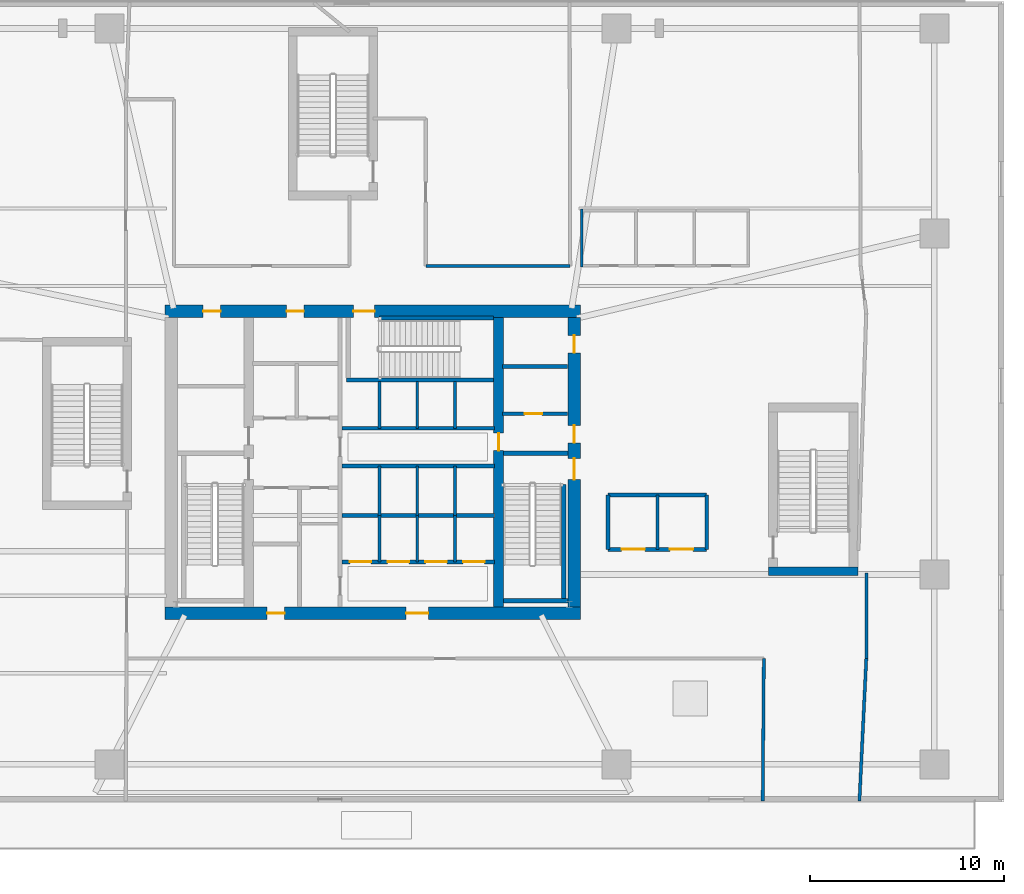
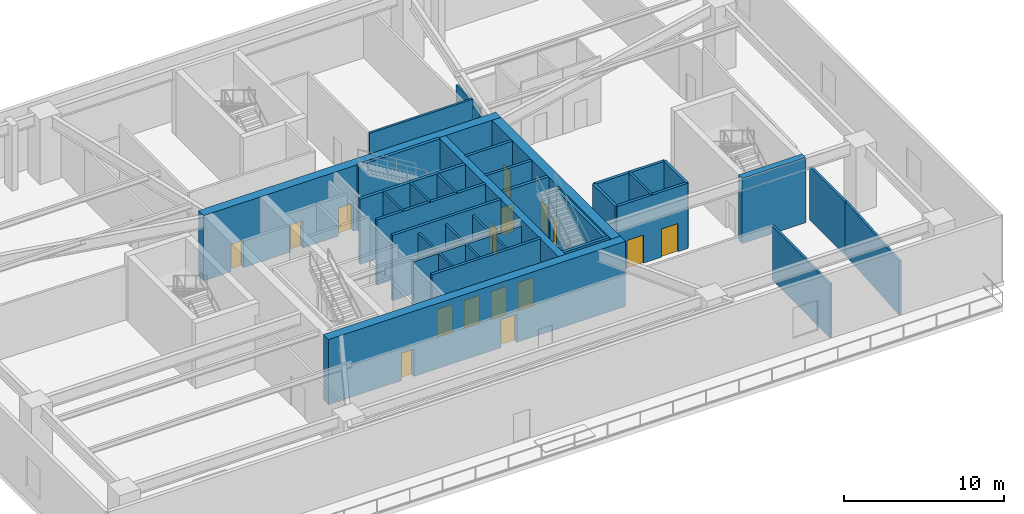
# One storey, part 5 of 11: 35 walls, 16 doors, 16 openings.
"""IFC4 building model written with IfcOpenShell, lengths in metres."""

from ifc_helpers import new_model, si_unit, direction, frame, frame_2d, origin, place, context, subcontext, project, spatial, rectangle, extrude, material, layer, layer_set, type_object, element, fill, save


model = new_model("IFC4")

# Units and contexts
model_context = context("Model", 3, precision=1e-05, world=origin(), true_north=direction((0.0, 1.0)))
body_context = subcontext(model_context, "Body", "Model", "MODEL_VIEW")
ifc_project = project(units=[si_unit("LENGTHUNIT", "METRE"), si_unit("AREAUNIT", "SQUARE_METRE"), si_unit("VOLUMEUNIT", "CUBIC_METRE"), si_unit("PLANEANGLEUNIT", "RADIAN"), si_unit("MASSUNIT", "GRAM", prefix="KILO")], contexts=[model_context])

# Site, building, storey
site_placement = place(None, origin())
site = spatial("IfcSite", under=ifc_project, at=site_placement, CompositionType="ELEMENT")
building_placement = place(site_placement, origin())
building = spatial("IfcBuilding", under=site, at=building_placement, Name="Qarnah Convention Tower", CompositionType="ELEMENT")
storey_placement = place(building_placement, frame((0.0, 0.0, 16.199951171875)))
storey = spatial("IfcBuildingStorey", under=building, at=storey_placement, Name="L03", CompositionType="ELEMENT", Elevation=16.199951171875)

# Wall, openings, doors
ifc_material_1 = material(Name="Concrete C60/75", Category="concrete")
ifc_layer_1 = layer(ifc_material_1, 0.64990234375)
ifc_layer_set_1 = layer_set([ifc_layer_1], Name="Concrete C60/75")
wall_type_1 = type_object("IfcWallType", Name="WL-CORE-650", PredefinedType="SHEAR", material=ifc_layer_set_1)
wall_1_placement = place(storey_placement, frame((26.47509765625, 18.60009765625, 0.0), z_axis=(0.0, 0.0, 1.0), x_axis=(1.0, 0.0, 0.0)))
wall_1 = element("IfcWall", 1, at=wall_1_placement, inside=storey, type_object=wall_type_1, Name="L03 core south shear wall", PredefinedType="SHEAR", context=body_context, shape_type="SweptSolid", body=[
    extrude(rectangle(XDim=21.449951171875, YDim=0.64990234375, at=frame_2d((10.72509765625, 0.0))), origin(), (0.0, 0.0, 1.0), 4.97998046875),
])
opening_1_placement = place(wall_1_placement, frame((12.449951171875, 0.0, 0.0)))
opening_1 = element("IfcOpeningElement", 2, at=opening_1_placement, cuts=wall_1, Name="Opening D-0307", PredefinedType="OPENING", context=body_context, shape_type="SweptSolid", body=[
    extrude(rectangle(XDim=1.14990234375, YDim=2.14990234375, at=frame_2d((0.574951171875, 1.074951171875))), frame((0.0, 0.3349609375, 0.0), z_axis=(0.0, -1.0, 0.0), x_axis=(1.0, 0.0, 0.0)), (0.0, 0.0, 1.0), 0.669921875),
])
opening_2_placement = place(wall_1_placement, frame((5.27490234375, 0.0, 0.0)))
opening_2 = element("IfcOpeningElement", 3, at=opening_2_placement, cuts=wall_1, Name="Opening D-0313", PredefinedType="OPENING", context=body_context, shape_type="SweptSolid", body=[
    extrude(rectangle(XDim=0.89990234375, YDim=2.10009765625, at=frame_2d((0.449951171875, 1.050048828125))), frame((0.0, 0.3349609375, 0.0), z_axis=(0.0, -1.0, 0.0), x_axis=(1.0, 0.0, 0.0)), (0.0, 0.0, 1.0), 0.669921875),
])
ifc_material_2 = material(Name="Structural steel S355JR", Category="steel")
door_type_1 = type_object("IfcDoorType", Name="DT-LOBBY-1150", OperationType="NOTDEFINED", PredefinedType="DOOR", material=ifc_material_2)
door_1_placement = place(opening_1_placement, origin())
door_1 = element("IfcDoor", 4, at=door_1_placement, inside=storey, type_object=door_type_1, Name="Door D-0307", OperationType="SINGLE_SWING_RIGHT", OverallHeight=2.14990234375, OverallWidth=1.14990234375, PredefinedType="DOOR", context=body_context, shape_type="SweptSolid", body=[
    extrude(rectangle(XDim=1.14990234375, YDim=2.14990234375, at=frame_2d((0.574951171875, 1.074951171875))), frame((0.0, 0.02490234375, 0.0), z_axis=(0.0, -1.0, 0.0), x_axis=(1.0, 0.0, 0.0)), (0.0, 0.0, 1.0), 0.050048828125),
])
fill(opening_1, door_1)
door_type_2 = type_object("IfcDoorType", Name="DT-RISER-900", OperationType="NOTDEFINED", PredefinedType="DOOR", material=ifc_material_2)
door_2_placement = place(opening_2_placement, origin())
door_2 = element("IfcDoor", 5, at=door_2_placement, inside=storey, type_object=door_type_2, Name="Door D-0313", OperationType="SINGLE_SWING_RIGHT", OverallHeight=2.10009765625, OverallWidth=0.89990234375, PredefinedType="DOOR", context=body_context, shape_type="SweptSolid", body=[
    extrude(rectangle(XDim=0.89990234375, YDim=2.10009765625, at=frame_2d((0.449951171875, 1.050048828125))), frame((0.0, 0.02490234375, 0.0), z_axis=(0.0, -1.0, 0.0), x_axis=(1.0, 0.0, 0.0)), (0.0, 0.0, 1.0), 0.050048828125),
])
fill(opening_2, door_2)

wall_2_placement = place(storey_placement, frame((26.47509765625, 34.199951171875, 0.0), z_axis=(0.0, 0.0, 1.0), x_axis=(1.0, 0.0, 0.0)))
wall_2 = element("IfcWall", 6, at=wall_2_placement, inside=storey, type_object=wall_type_1, Name="L03 core north shear wall", PredefinedType="SHEAR", context=body_context, shape_type="SweptSolid", body=[
    extrude(rectangle(XDim=21.449951171875, YDim=0.64990234375, at=frame_2d((10.72509765625, 0.0))), origin(), (0.0, 0.0, 1.0), 4.97998046875),
])
opening_3_placement = place(wall_2_placement, frame((9.72509765625, 0.0, 0.0)))
opening_3 = element("IfcOpeningElement", 7, at=opening_3_placement, cuts=wall_2, Name="Opening D-0303", PredefinedType="OPENING", context=body_context, shape_type="SweptSolid", body=[
    extrude(rectangle(XDim=1.10009765625, YDim=2.14990234375, at=frame_2d((0.550048828125, 1.074951171875))), frame((0.0, 0.3349609375, 0.0), z_axis=(0.0, -1.0, 0.0), x_axis=(1.0, 0.0, 0.0)), (0.0, 0.0, 1.0), 0.669921875),
])
opening_4_placement = place(wall_2_placement, frame((1.97509765625, 0.0, 0.0)))
opening_4 = element("IfcOpeningElement", 8, at=opening_4_placement, cuts=wall_2, Name="Opening D-0309", PredefinedType="OPENING", context=body_context, shape_type="SweptSolid", body=[
    extrude(rectangle(XDim=0.89990234375, YDim=2.10009765625, at=frame_2d((0.449951171875, 1.050048828125))), frame((0.0, 0.3349609375, 0.0), z_axis=(0.0, -1.0, 0.0), x_axis=(1.0, 0.0, 0.0)), (0.0, 0.0, 1.0), 0.669921875),
])
opening_5_placement = place(wall_2_placement, frame((6.27490234375, 0.0, 0.0)))
opening_5 = element("IfcOpeningElement", 9, at=opening_5_placement, cuts=wall_2, Name="Opening D-0310", PredefinedType="OPENING", context=body_context, shape_type="SweptSolid", body=[
    extrude(rectangle(XDim=0.89990234375, YDim=2.10009765625, at=frame_2d((0.449951171875, 1.050048828125))), frame((0.0, 0.3349609375, 0.0), z_axis=(0.0, -1.0, 0.0), x_axis=(1.0, 0.0, 0.0)), (0.0, 0.0, 1.0), 0.669921875),
])
door_3_placement = place(opening_4_placement, origin())
door_3 = element("IfcDoor", 10, at=door_3_placement, inside=storey, type_object=door_type_2, Name="Door D-0309", OperationType="SINGLE_SWING_RIGHT", OverallHeight=2.10009765625, OverallWidth=0.89990234375, PredefinedType="DOOR", context=body_context, shape_type="SweptSolid", body=[
    extrude(rectangle(XDim=0.89990234375, YDim=2.10009765625, at=frame_2d((0.449951171875, 1.050048828125))), frame((0.0, 0.02490234375, 0.0), z_axis=(0.0, -1.0, 0.0), x_axis=(1.0, 0.0, 0.0)), (0.0, 0.0, 1.0), 0.050048828125),
])
fill(opening_4, door_3)
door_4_placement = place(opening_5_placement, origin())
door_4 = element("IfcDoor", 11, at=door_4_placement, inside=storey, type_object=door_type_2, Name="Door D-0310", OperationType="SINGLE_SWING_LEFT", OverallHeight=2.10009765625, OverallWidth=0.89990234375, PredefinedType="DOOR", context=body_context, shape_type="SweptSolid", body=[
    extrude(rectangle(XDim=0.89990234375, YDim=2.10009765625, at=frame_2d((0.449951171875, 1.050048828125))), frame((0.0, 0.02490234375, 0.0), z_axis=(0.0, -1.0, 0.0), x_axis=(1.0, 0.0, 0.0)), (0.0, 0.0, 1.0), 0.050048828125),
])
fill(opening_5, door_4)
door_type_3 = type_object("IfcDoorType", Name="DT-STAIR-1100", OperationType="NOTDEFINED", PredefinedType="DOOR", material=ifc_material_2)
door_5_placement = place(opening_3_placement, origin())
door_5 = element("IfcDoor", 12, at=door_5_placement, inside=storey, type_object=door_type_3, Name="Door D-0303", OperationType="SINGLE_SWING_RIGHT", OverallHeight=2.14990234375, OverallWidth=1.10009765625, PredefinedType="DOOR", context=body_context, shape_type="SweptSolid", body=[
    extrude(rectangle(XDim=1.10009765625, YDim=2.14990234375, at=frame_2d((0.550048828125, 1.074951171875))), frame((0.0, 0.02490234375, 0.0), z_axis=(0.0, -1.0, 0.0), x_axis=(1.0, 0.0, 0.0)), (0.0, 0.0, 1.0), 0.050048828125),
])
fill(opening_3, door_5)

wall_3_placement = place(storey_placement, frame((47.60009765625, 18.925048828125, 0.0), z_axis=(0.0, 0.0, 1.0), x_axis=(0.0, 1.0, 0.0)))
wall_3 = element("IfcWall", 13, at=wall_3_placement, inside=storey, type_object=wall_type_1, Name="L03 core east shear wall", PredefinedType="SHEAR", context=body_context, shape_type="SweptSolid", body=[
    extrude(rectangle(XDim=14.949951171875, YDim=0.64990234375, at=frame_2d((7.47509765625, 0.0))), origin(), (0.0, 0.0, 1.0), 4.97998046875),
])
opening_6_placement = place(wall_3_placement, frame((6.574951171875, 0.0, 0.0)))
opening_6 = element("IfcOpeningElement", 14, at=opening_6_placement, cuts=wall_3, Name="Opening D-0302", PredefinedType="OPENING", context=body_context, shape_type="SweptSolid", body=[
    extrude(rectangle(XDim=1.10009765625, YDim=2.14990234375, at=frame_2d((0.550048828125, 1.074951171875))), frame((0.0, 0.3349609375, 0.0), z_axis=(0.0, -1.0, 0.0), x_axis=(1.0, 0.0, 0.0)), (0.0, 0.0, 1.0), 0.669921875),
])
opening_7_placement = place(wall_3_placement, frame((8.47509765625, 0.0, 0.0)))
opening_7 = element("IfcOpeningElement", 15, at=opening_7_placement, cuts=wall_3, Name="Opening D-0306", PredefinedType="OPENING", context=body_context, shape_type="SweptSolid", body=[
    extrude(rectangle(XDim=0.89990234375, YDim=2.10009765625, at=frame_2d((0.449951171875, 1.050048828125))), frame((0.0, 0.3349609375, 0.0), z_axis=(0.0, -1.0, 0.0), x_axis=(1.0, 0.0, 0.0)), (0.0, 0.0, 1.0), 0.669921875),
])
opening_8_placement = place(wall_3_placement, frame((13.125, 0.0, 0.0)))
opening_8 = element("IfcOpeningElement", 16, at=opening_8_placement, cuts=wall_3, Name="Opening D-0312", PredefinedType="OPENING", context=body_context, shape_type="SweptSolid", body=[
    extrude(rectangle(XDim=0.89990234375, YDim=2.10009765625, at=frame_2d((0.449951171875, 1.050048828125))), frame((0.0, 0.3349609375, 0.0), z_axis=(0.0, -1.0, 0.0), x_axis=(1.0, 0.0, 0.0)), (0.0, 0.0, 1.0), 0.669921875),
])
door_6_placement = place(opening_7_placement, origin())
door_6 = element("IfcDoor", 17, at=door_6_placement, inside=storey, type_object=door_type_2, Name="Door D-0306", OperationType="SINGLE_SWING_LEFT", OverallHeight=2.10009765625, OverallWidth=0.89990234375, PredefinedType="DOOR", context=body_context, shape_type="SweptSolid", body=[
    extrude(rectangle(XDim=0.89990234375, YDim=2.10009765625, at=frame_2d((0.449951171875, 1.050048828125))), frame((0.0, 0.02490234375, 0.0), z_axis=(0.0, -1.0, 0.0), x_axis=(1.0, 0.0, 0.0)), (0.0, 0.0, 1.0), 0.050048828125),
])
fill(opening_7, door_6)
door_7_placement = place(opening_8_placement, origin())
door_7 = element("IfcDoor", 18, at=door_7_placement, inside=storey, type_object=door_type_2, Name="Door D-0312", OperationType="SINGLE_SWING_LEFT", OverallHeight=2.10009765625, OverallWidth=0.89990234375, PredefinedType="DOOR", context=body_context, shape_type="SweptSolid", body=[
    extrude(rectangle(XDim=0.89990234375, YDim=2.10009765625, at=frame_2d((0.449951171875, 1.050048828125))), frame((0.0, 0.02490234375, 0.0), z_axis=(0.0, -1.0, 0.0), x_axis=(1.0, 0.0, 0.0)), (0.0, 0.0, 1.0), 0.050048828125),
])
fill(opening_8, door_7)
door_8_placement = place(opening_6_placement, origin())
door_8 = element("IfcDoor", 19, at=door_8_placement, inside=storey, type_object=door_type_3, Name="Door D-0302", OperationType="SINGLE_SWING_LEFT", OverallHeight=2.14990234375, OverallWidth=1.10009765625, PredefinedType="DOOR", context=body_context, shape_type="SweptSolid", body=[
    extrude(rectangle(XDim=1.10009765625, YDim=2.14990234375, at=frame_2d((0.550048828125, 1.074951171875))), frame((0.0, 0.02490234375, 0.0), z_axis=(0.0, -1.0, 0.0), x_axis=(1.0, 0.0, 0.0)), (0.0, 0.0, 1.0), 0.050048828125),
])
fill(opening_6, door_8)

# Wall, opening, door
ifc_layer_2 = layer(ifc_material_1, 0.5)
ifc_layer_set_2 = layer_set([ifc_layer_2], Name="Concrete C60/75")
wall_type_2 = type_object("IfcWallType", Name="WL-CORE-INT-400", PredefinedType="SHEAR", material=ifc_layer_set_2)
wall_4_placement = place(storey_placement, frame((43.699951171875, 18.925048828125, 0.0), z_axis=(0.0, 0.0, 1.0), x_axis=(0.0, 1.0, 0.0)))
wall_4 = element("IfcWall", 20, at=wall_4_placement, inside=storey, type_object=wall_type_2, Name="L03 core east spine shear wall", PredefinedType="SHEAR", context=body_context, shape_type="SweptSolid", body=[
    extrude(rectangle(XDim=14.949951171875, YDim=0.5, at=frame_2d((7.47509765625, 0.0))), origin(), (0.0, 0.0, 1.0), 4.97998046875),
])
opening_9_placement = place(wall_4_placement, frame((8.074951171875, 0.0, 0.0)))
opening_9 = element("IfcOpeningElement", 21, at=opening_9_placement, cuts=wall_4, Name="Opening D-0305", PredefinedType="OPENING", context=body_context, shape_type="SweptSolid", body=[
    extrude(rectangle(XDim=0.89990234375, YDim=2.10009765625, at=frame_2d((0.449951171875, 1.050048828125))), frame((0.0, 0.260009765625, 0.0), z_axis=(0.0, -1.0, 0.0), x_axis=(1.0, 0.0, 0.0)), (0.0, 0.0, 1.0), 0.52001953125),
])
door_9_placement = place(opening_9_placement, origin())
door_9 = element("IfcDoor", 22, at=door_9_placement, inside=storey, type_object=door_type_2, Name="Door D-0305", OperationType="SINGLE_SWING_RIGHT", OverallHeight=2.10009765625, OverallWidth=0.89990234375, PredefinedType="DOOR", context=body_context, shape_type="SweptSolid", body=[
    extrude(rectangle(XDim=0.89990234375, YDim=2.10009765625, at=frame_2d((0.449951171875, 1.050048828125))), frame((0.0, 0.02490234375, 0.0), z_axis=(0.0, -1.0, 0.0), x_axis=(1.0, 0.0, 0.0)), (0.0, 0.0, 1.0), 0.050048828125),
])
fill(opening_9, door_9)

ifc_material_3 = material(Name="Concrete C45/55", Category="concrete")
ifc_layer_3 = layer(ifc_material_3, 0.199951171875)
ifc_layer_set_3 = layer_set([ifc_layer_3], Name="Concrete C45/55")
wall_type_3 = type_object("IfcWallType", Name="WL-CORE-PART-200", PredefinedType="SOLIDWALL", material=ifc_layer_set_3)
wall_5_placement = place(storey_placement, frame((43.89990234375, 28.89990234375, 0.0), z_axis=(0.0, 0.0, 1.0), x_axis=(1.0, 0.0, 0.0)))
wall_5 = element("IfcWall", 23, at=wall_5_placement, inside=storey, type_object=wall_type_3, Name="L03 interior wall IW-L03-EVSTN", PredefinedType="SOLIDWALL", context=body_context, shape_type="SweptSolid", body=[
    extrude(rectangle(XDim=3.35009765625, YDim=0.199951171875, at=frame_2d((1.675048828125, 0.0))), origin(), (0.0, 0.0, 1.0), 4.97998046875),
])
opening_10_placement = place(wall_5_placement, frame((1.14990234375, 0.0, 0.0)))
opening_10 = element("IfcOpeningElement", 24, at=opening_10_placement, cuts=wall_5, Name="Opening D-0311", PredefinedType="OPENING", context=body_context, shape_type="SweptSolid", body=[
    extrude(rectangle(XDim=0.89990234375, YDim=2.10009765625, at=frame_2d((0.449951171875, 1.050048828125))), frame((0.0, 0.10986328125, 0.0), z_axis=(0.0, -1.0, 0.0), x_axis=(1.0, 0.0, 0.0)), (0.0, 0.0, 1.0), 0.219970703125),
])
door_10_placement = place(opening_10_placement, origin())
door_10 = element("IfcDoor", 25, at=door_10_placement, inside=storey, type_object=door_type_2, Name="Door D-0311", OperationType="SINGLE_SWING_RIGHT", OverallHeight=2.10009765625, OverallWidth=0.89990234375, PredefinedType="DOOR", context=body_context, shape_type="SweptSolid", body=[
    extrude(rectangle(XDim=0.89990234375, YDim=2.10009765625, at=frame_2d((0.449951171875, 1.050048828125))), frame((0.0, 0.02490234375, 0.0), z_axis=(0.0, -1.0, 0.0), x_axis=(1.0, 0.0, 0.0)), (0.0, 0.0, 1.0), 0.050048828125),
])
fill(opening_10, door_10)

# Walls
wall_6_placement = place(storey_placement, frame((43.89990234375, 31.35009765625, 0.0), z_axis=(0.0, 0.0, 1.0), x_axis=(1.0, 0.0, 0.0)))
element("IfcWall", 26, at=wall_6_placement, inside=storey, type_object=wall_type_3, Name="L03 interior wall IW-L03-WTRN", PredefinedType="SOLIDWALL", context=body_context, shape_type="SweptSolid", body=[
    extrude(rectangle(XDim=3.35009765625, YDim=0.199951171875, at=frame_2d((1.675048828125, 0.0))), origin(), (0.0, 0.0, 1.0), 4.97998046875),
])
for number, where, z_axis, x_axis, name in (
    (27, (35.6201171875, 28.14990234375, 0.0), (0.0, 0.0, 1.0), (1.0, 0.0, 0.0), "L03 interior wall IW-L03-PHS"),
    (28, (35.6201171875, 26.199951171875, 0.0), (0.0, 0.0, 1.0), (1.0, 0.0, 0.0), "L03 interior wall IW-L03-PMN"),
):
    element("IfcWall", number, at=place(storey_placement, frame(where, z_axis=z_axis, x_axis=x_axis)), inside=storey, type_object=wall_type_3, Name=name, PredefinedType="SOLIDWALL", context=body_context, shape_type="SweptSolid", body=[
        extrude(rectangle(XDim=7.8798828125, YDim=0.199951171875, at=frame_2d((3.93994140625, 0.0))), origin(), (0.0, 0.0, 1.0), 4.97998046875),
    ])
wall_7_placement = place(storey_placement, frame((35.6201171875, 23.64990234375, 0.0), z_axis=(0.0, 0.0, 1.0), x_axis=(1.0, 0.0, 0.0)))
element("IfcWall", 29, at=wall_7_placement, inside=storey, type_object=wall_type_3, Name="L03 interior wall IW-L03-PMPL", PredefinedType="SOLIDWALL", context=body_context, shape_type="SweptSolid", body=[
    extrude(rectangle(XDim=7.8798828125, YDim=0.199951171875, at=frame_2d((3.93994140625, 0.0))), origin(), (0.0, 0.0, 1.0), 4.5009765625),
])

# Wall, openings, doors
wall_8_placement = place(storey_placement, frame((35.6201171875, 21.25, 0.0), z_axis=(0.0, 0.0, 1.0), x_axis=(1.0, 0.0, 0.0)))
wall_8 = element("IfcWall", 30, at=wall_8_placement, inside=storey, type_object=wall_type_3, Name="L03 interior wall IW-L03-PLS", PredefinedType="SOLIDWALL", context=body_context, shape_type="SweptSolid", body=[
    extrude(rectangle(XDim=7.8798828125, YDim=0.199951171875, at=frame_2d((3.93994140625, 0.0))), origin(), (0.0, 0.0, 1.0), 4.97998046875),
])
opening_11_placement = place(wall_8_placement, frame((0.405029296875, 0.0, 0.0)))
opening_11 = element("IfcOpeningElement", 31, at=opening_11_placement, cuts=wall_8, Name="Opening LD-0304", PredefinedType="OPENING", context=body_context, shape_type="SweptSolid", body=[
    extrude(rectangle(XDim=1.10009765625, YDim=2.14990234375, at=frame_2d((0.550048828125, 1.074951171875))), frame((0.0, 0.10986328125, 0.0), z_axis=(0.0, -1.0, 0.0), x_axis=(1.0, 0.0, 0.0)), (0.0, 0.0, 1.0), 0.219970703125),
])
opening_12_placement = place(wall_8_placement, frame((2.35498046875, 0.0, 0.0)))
opening_12 = element("IfcOpeningElement", 32, at=opening_12_placement, cuts=wall_8, Name="Opening LD-0305", PredefinedType="OPENING", context=body_context, shape_type="SweptSolid", body=[
    extrude(rectangle(XDim=1.10009765625, YDim=2.14990234375, at=frame_2d((0.550048828125, 1.074951171875))), frame((0.0, 0.10986328125, 0.0), z_axis=(0.0, -1.0, 0.0), x_axis=(1.0, 0.0, 0.0)), (0.0, 0.0, 1.0), 0.219970703125),
])
opening_13_placement = place(wall_8_placement, frame((4.304931640625, 0.0, 0.0)))
opening_13 = element("IfcOpeningElement", 33, at=opening_13_placement, cuts=wall_8, Name="Opening LD-0306", PredefinedType="OPENING", context=body_context, shape_type="SweptSolid", body=[
    extrude(rectangle(XDim=1.10009765625, YDim=2.14990234375, at=frame_2d((0.550048828125, 1.074951171875))), frame((0.0, 0.10986328125, 0.0), z_axis=(0.0, -1.0, 0.0), x_axis=(1.0, 0.0, 0.0)), (0.0, 0.0, 1.0), 0.219970703125),
])
opening_14_placement = place(wall_8_placement, frame((6.2548828125, 0.0, 0.0)))
opening_14 = element("IfcOpeningElement", 34, at=opening_14_placement, cuts=wall_8, Name="Opening LD-0307", PredefinedType="OPENING", context=body_context, shape_type="SweptSolid", body=[
    extrude(rectangle(XDim=1.10009765625, YDim=2.14990234375, at=frame_2d((0.550048828125, 1.074951171875))), frame((0.0, 0.10986328125, 0.0), z_axis=(0.0, -1.0, 0.0), x_axis=(1.0, 0.0, 0.0)), (0.0, 0.0, 1.0), 0.219970703125),
])
door_type_4 = type_object("IfcDoorType", Name="DT-LIFT-1100", OperationType="SLIDING_TO_LEFT", PredefinedType="DOOR", material=ifc_material_2)
door_11_placement = place(opening_11_placement, origin())
door_11 = element("IfcDoor", 35, at=door_11_placement, inside=storey, type_object=door_type_4, Name="Door LD-0304", OperationType="SLIDING_TO_LEFT", OverallHeight=2.14990234375, OverallWidth=1.10009765625, PredefinedType="DOOR", context=body_context, shape_type="SweptSolid", body=[
    extrude(rectangle(XDim=1.10009765625, YDim=2.14990234375, at=frame_2d((0.550048828125, 1.074951171875))), frame((0.0, 0.02490234375, 0.0), z_axis=(0.0, -1.0, 0.0), x_axis=(1.0, 0.0, 0.0)), (0.0, 0.0, 1.0), 0.050048828125),
])
fill(opening_11, door_11)
door_12_placement = place(opening_12_placement, origin())
door_12 = element("IfcDoor", 36, at=door_12_placement, inside=storey, type_object=door_type_4, Name="Door LD-0305", OperationType="SLIDING_TO_LEFT", OverallHeight=2.14990234375, OverallWidth=1.10009765625, PredefinedType="DOOR", context=body_context, shape_type="SweptSolid", body=[
    extrude(rectangle(XDim=1.10009765625, YDim=2.14990234375, at=frame_2d((0.550048828125, 1.074951171875))), frame((0.0, 0.02490234375, 0.0), z_axis=(0.0, -1.0, 0.0), x_axis=(1.0, 0.0, 0.0)), (0.0, 0.0, 1.0), 0.050048828125),
])
fill(opening_12, door_12)
door_13_placement = place(opening_13_placement, origin())
door_13 = element("IfcDoor", 37, at=door_13_placement, inside=storey, type_object=door_type_4, Name="Door LD-0306", OperationType="SLIDING_TO_LEFT", OverallHeight=2.14990234375, OverallWidth=1.10009765625, PredefinedType="DOOR", context=body_context, shape_type="SweptSolid", body=[
    extrude(rectangle(XDim=1.10009765625, YDim=2.14990234375, at=frame_2d((0.550048828125, 1.074951171875))), frame((0.0, 0.02490234375, 0.0), z_axis=(0.0, -1.0, 0.0), x_axis=(1.0, 0.0, 0.0)), (0.0, 0.0, 1.0), 0.050048828125),
])
fill(opening_13, door_13)
door_14_placement = place(opening_14_placement, origin())
door_14 = element("IfcDoor", 38, at=door_14_placement, inside=storey, type_object=door_type_4, Name="Door LD-0307", OperationType="SLIDING_TO_LEFT", OverallHeight=2.14990234375, OverallWidth=1.10009765625, PredefinedType="DOOR", context=body_context, shape_type="SweptSolid", body=[
    extrude(rectangle(XDim=1.10009765625, YDim=2.14990234375, at=frame_2d((0.550048828125, 1.074951171875))), frame((0.0, 0.02490234375, 0.0), z_axis=(0.0, -1.0, 0.0), x_axis=(1.0, 0.0, 0.0)), (0.0, 0.0, 1.0), 0.050048828125),
])
fill(opening_14, door_14)

# Wall
wall_9_placement = place(storey_placement, frame((49.35009765625, 24.699951171875, 0.0), z_axis=(0.0, 0.0, 1.0), x_axis=(1.0, 0.0, 0.0)))
element("IfcWall", 39, at=wall_9_placement, inside=storey, type_object=wall_type_3, Name="L03 interior wall IW-L03-PSN", PredefinedType="SOLIDWALL", context=body_context, shape_type="SweptSolid", body=[
    extrude(rectangle(XDim=5.099853515625, YDim=0.199951171875, at=frame_2d((2.5498046875, 0.0))), origin(), (0.0, 0.0, 1.0), 4.97998046875),
])

# Wall, openings, doors
wall_10_placement = place(storey_placement, frame((49.35009765625, 21.89990234375, 0.0), z_axis=(0.0, 0.0, 1.0), x_axis=(1.0, 0.0, 0.0)))
wall_10 = element("IfcWall", 40, at=wall_10_placement, inside=storey, type_object=wall_type_3, Name="L03 interior wall IW-L03-PSS", PredefinedType="SOLIDWALL", context=body_context, shape_type="SweptSolid", body=[
    extrude(rectangle(XDim=5.099853515625, YDim=0.199951171875, at=frame_2d((2.5498046875, 0.0))), origin(), (0.0, 0.0, 1.0), 4.97998046875),
])
opening_15_placement = place(wall_10_placement, frame((0.699951171875, 0.0, 0.0)))
opening_15 = element("IfcOpeningElement", 41, at=opening_15_placement, cuts=wall_10, Name="Opening LD-0308", PredefinedType="OPENING", context=body_context, shape_type="SweptSolid", body=[
    extrude(rectangle(XDim=1.199951171875, YDim=2.14990234375, at=frame_2d((0.60009765625, 1.074951171875))), frame((0.0, 0.10986328125, 0.0), z_axis=(0.0, -1.0, 0.0), x_axis=(1.0, 0.0, 0.0)), (0.0, 0.0, 1.0), 0.219970703125),
])
opening_16_placement = place(wall_10_placement, frame((3.199951171875, 0.0, 0.0)))
opening_16 = element("IfcOpeningElement", 42, at=opening_16_placement, cuts=wall_10, Name="Opening LD-0309", PredefinedType="OPENING", context=body_context, shape_type="SweptSolid", body=[
    extrude(rectangle(XDim=1.199951171875, YDim=2.14990234375, at=frame_2d((0.60009765625, 1.074951171875))), frame((0.0, 0.10986328125, 0.0), z_axis=(0.0, -1.0, 0.0), x_axis=(1.0, 0.0, 0.0)), (0.0, 0.0, 1.0), 0.219970703125),
])
door_type_5 = type_object("IfcDoorType", Name="DT-LIFT-1200", OperationType="SLIDING_TO_LEFT", PredefinedType="DOOR", material=ifc_material_2)
door_15_placement = place(opening_15_placement, origin())
door_15 = element("IfcDoor", 43, at=door_15_placement, inside=storey, type_object=door_type_5, Name="Door LD-0308", OperationType="SLIDING_TO_LEFT", OverallHeight=2.14990234375, OverallWidth=1.199951171875, PredefinedType="DOOR", context=body_context, shape_type="SweptSolid", body=[
    extrude(rectangle(XDim=1.199951171875, YDim=2.14990234375, at=frame_2d((0.60009765625, 1.074951171875))), frame((0.0, 0.02490234375, 0.0), z_axis=(0.0, -1.0, 0.0), x_axis=(1.0, 0.0, 0.0)), (0.0, 0.0, 1.0), 0.050048828125),
])
fill(opening_15, door_15)
door_16_placement = place(opening_16_placement, origin())
door_16 = element("IfcDoor", 44, at=door_16_placement, inside=storey, type_object=door_type_5, Name="Door LD-0309", OperationType="SLIDING_TO_LEFT", OverallHeight=2.14990234375, OverallWidth=1.199951171875, PredefinedType="DOOR", context=body_context, shape_type="SweptSolid", body=[
    extrude(rectangle(XDim=1.199951171875, YDim=2.14990234375, at=frame_2d((0.60009765625, 1.074951171875))), frame((0.0, 0.02490234375, 0.0), z_axis=(0.0, -1.0, 0.0), x_axis=(1.0, 0.0, 0.0)), (0.0, 0.0, 1.0), 0.050048828125),
])
fill(opening_16, door_16)

# Walls
for number, where, z_axis, x_axis, name in (
    (45, (49.35009765625, 21.89990234375, 0.0), (0.0, 0.0, 1.0), (0.0, 1.0, 0.0), "L03 interior wall IW-L03-PSW"),
    (46, (54.449951171875, 21.89990234375, 0.0), (0.0, 0.0, 1.0), (0.0, 1.0, 0.0), "L03 interior wall IW-L03-PSE"),
):
    element("IfcWall", number, at=place(storey_placement, frame(where, z_axis=z_axis, x_axis=x_axis)), inside=storey, type_object=wall_type_3, Name=name, PredefinedType="SOLIDWALL", context=body_context, shape_type="SweptSolid", body=[
        extrude(rectangle(XDim=2.800048828125, YDim=0.199951171875, at=frame_2d((1.39990234375, 0.0))), origin(), (0.0, 0.0, 1.0), 4.97998046875),
    ])
ifc_layer_4 = layer(ifc_material_1, 0.219970703125)
ifc_layer_set_4 = layer_set([ifc_layer_4], Name="Concrete C60/75")
wall_type_4 = type_object("IfcWallType", Name="WL-CORE-STAIR-220", PredefinedType="SHEAR", material=ifc_layer_set_4)
wall_11_placement = place(storey_placement, frame((43.949951171875, 26.860107421875, 0.0), z_axis=(0.0, 0.0, 1.0), x_axis=(1.0, 0.0, 0.0)))
element("IfcWall", 47, at=wall_11_placement, inside=storey, type_object=wall_type_4, Name="L03 stair shaft shear wall SW-L03-ST2N", PredefinedType="SHEAR", context=body_context, shape_type="SweptSolid", body=[
    extrude(rectangle(XDim=3.324951171875, YDim=0.219970703125, at=frame_2d((1.66259765625, 0.0))), origin(), (0.0, 0.0, 1.0), 4.97998046875),
])
wall_12_placement = place(storey_placement, frame((47.06005859375, 19.35009765625, 0.0), z_axis=(0.0, 0.0, 1.0), x_axis=(0.0, 1.0, 0.0)))
element("IfcWall", 48, at=wall_12_placement, inside=storey, type_object=wall_type_4, Name="L03 stair shaft shear wall SW-L03-ST2E", PredefinedType="SHEAR", context=body_context, shape_type="SweptSolid", body=[
    extrude(rectangle(XDim=5.89990234375, YDim=0.219970703125, at=frame_2d((2.949951171875, 0.0))), origin(), (0.0, 0.0, 1.0), 4.97998046875),
])
wall_13_placement = place(storey_placement, frame((43.949951171875, 19.239990234375, 0.0), z_axis=(0.0, 0.0, 1.0), x_axis=(1.0, 0.0, 0.0)))
element("IfcWall", 49, at=wall_13_placement, inside=storey, type_object=wall_type_4, Name="L03 stair shaft shear wall SW-L03-ST2S", PredefinedType="SHEAR", context=body_context, shape_type="SweptSolid", body=[
    extrude(rectangle(XDim=3.324951171875, YDim=0.219970703125, at=frame_2d((1.66259765625, 0.0))), origin(), (0.0, 0.0, 1.0), 4.97998046875),
])
wall_14_placement = place(storey_placement, frame((35.840087890625, 30.639892578125, 0.0), z_axis=(0.0, 0.0, 1.0), x_axis=(1.0, 0.0, 0.0)))
element("IfcWall", 50, at=wall_14_placement, inside=storey, type_object=wall_type_4, Name="L03 stair shaft shear wall SW-L03-ST3S", PredefinedType="SHEAR", context=body_context, shape_type="SweptSolid", body=[
    extrude(rectangle(XDim=7.60986328125, YDim=0.219970703125, at=frame_2d((3.804931640625, 0.0))), origin(), (0.0, 0.0, 1.0), 4.97998046875),
])
wall_15_placement = place(storey_placement, frame((37.550048828125, 33.840087890625, 0.0), z_axis=(0.0, 0.0, 1.0), x_axis=(1.0, 0.0, 0.0)))
element("IfcWall", 51, at=wall_15_placement, inside=storey, type_object=wall_type_4, Name="L03 stair shaft shear wall SW-L03-ST3N", PredefinedType="SHEAR", context=body_context, shape_type="SweptSolid", body=[
    extrude(rectangle(XDim=5.89990234375, YDim=0.219970703125, at=frame_2d((2.949951171875, 0.0))), origin(), (0.0, 0.0, 1.0), 4.97998046875),
])
ifc_material_4 = material(Name="Gypsum partition board")
ifc_layer_5 = layer(ifc_material_4, 0.159912109375)
ifc_layer_set_5 = layer_set([ifc_layer_5], Name="Gypsum partition board")
wall_type_5 = type_object("IfcWallType", Name="WL-CORR-160", PredefinedType="PARTITIONING", material=ifc_layer_set_5)
wall_16_placement = place(storey_placement, frame((57.340087890625, 8.902099609375, 0.0), z_axis=(0.0, 0.0, 1.0), x_axis=(0.008129003417, 0.999966959106, 0.0)))
element("IfcWall", 52, at=wall_16_placement, inside=storey, type_object=wall_type_5, Name="L03 interior wall IW-L03-R-15", PredefinedType="PARTITIONING", context=body_context, shape_type="SweptSolid", body=[
    extrude(rectangle(XDim=7.358154296875, YDim=0.159912109375, at=frame_2d((3.67919921875, 0.0))), origin(), (0.0, 0.0, 1.0), 4.12109375),
])
wall_17_placement = place(storey_placement, frame((39.93994140625, 36.5400390625, 0.0), z_axis=(0.0, 0.0, 1.0), x_axis=(1.0, 0.0, 0.0)))
element("IfcWall", 53, at=wall_17_placement, inside=storey, type_object=wall_type_5, Name="L03 interior wall IW-L03-R-24", PredefinedType="PARTITIONING", context=body_context, shape_type="SweptSolid", body=[
    extrude(rectangle(XDim=7.4599609375, YDim=0.159912109375, at=frame_2d((3.72998046875, 0.0))), origin(), (0.0, 0.0, 1.0), 4.97998046875),
])
wall_18_placement = place(storey_placement, frame((62.68994140625, 20.68994140625, 0.0), z_axis=(0.0, 0.0, 1.0), x_axis=(0.0, -1.0, 0.0)))
element("IfcWall", 54, at=wall_18_placement, inside=storey, type_object=wall_type_5, Name="L03 interior wall IW-L03-R-29", PredefinedType="PARTITIONING", context=body_context, shape_type="SweptSolid", body=[
    extrude(rectangle(XDim=4.429931640625, YDim=0.159912109375, at=frame_2d((2.21484375, 0.0))), origin(), (0.0, 0.0, 1.0), 4.06494140625),
])
wall_19_placement = place(storey_placement, frame((62.68994140625, 16.260009765625, 0.0), z_axis=(0.0, 0.0, 1.0), x_axis=(-0.048280995583, -0.998833792713, 0.0)))
element("IfcWall", 55, at=wall_19_placement, inside=storey, type_object=wall_type_5, Name="L03 interior wall IW-L03-R-30", PredefinedType="PARTITIONING", context=body_context, shape_type="SweptSolid", body=[
    extrude(rectangle(XDim=7.37255859375, YDim=0.159912109375, at=frame_2d((3.686279296875, 0.0))), origin(), (0.0, 0.0, 1.0), 4.12109375),
])
ifc_layer_6 = layer(ifc_material_1, 0.449951171875)
ifc_layer_set_6 = layer_set([ifc_layer_6], Name="Concrete C60/75")
wall_type_6 = type_object("IfcWallType", Name="WL-POD-CORE-450", PredefinedType="SHEAR", material=ifc_layer_set_6)
wall_20_placement = place(storey_placement, frame((57.64990234375, 20.77490234375, 0.0), z_axis=(0.0, 0.0, 1.0), x_axis=(1.0, 0.0, 0.0)))
element("IfcWall", 56, at=wall_20_placement, inside=storey, type_object=wall_type_6, Name="L03 podium stair ST-4 south wall", PredefinedType="SHEAR", context=body_context, shape_type="SweptSolid", body=[
    extrude(rectangle(XDim=4.60009765625, YDim=0.449951171875, at=frame_2d((2.300048828125, 0.0))), origin(), (0.0, 0.0, 1.0), 4.97998046875),
])
ifc_layer_7 = layer(ifc_material_4, 0.14990234375)
ifc_layer_set_7 = layer_set([ifc_layer_7], Name="Gypsum partition board")
wall_type_7 = type_object("IfcWallType", Name="WL-SUITE-150", PredefinedType="PARTITIONING", material=ifc_layer_set_7)
for number, where, z_axis, x_axis, name in (
    (57, (37.550048828125, 28.14990234375, 0.0), (0.0, 0.0, 1.0), (0.0, 1.0, 0.0), "L03 interior wall IW-L03-PHD1"),
    (58, (39.5, 28.14990234375, 0.0), (0.0, 0.0, 1.0), (0.0, 1.0, 0.0), "L03 interior wall IW-L03-PHD2"),
    (59, (41.449951171875, 28.14990234375, 0.0), (0.0, 0.0, 1.0), (0.0, 1.0, 0.0), "L03 interior wall IW-L03-PHD3"),
):
    element("IfcWall", number, at=place(storey_placement, frame(where, z_axis=z_axis, x_axis=x_axis)), inside=storey, type_object=wall_type_7, Name=name, PredefinedType="PARTITIONING", context=body_context, shape_type="SweptSolid", body=[
        extrude(rectangle(XDim=2.43017578125, YDim=0.14990234375, at=frame_2d((1.215087890625, 0.0))), origin(), (0.0, 0.0, 1.0), 4.97998046875),
    ])
for number, where, z_axis, x_axis, name in (
    (60, (37.550048828125, 23.64990234375, 0.0), (0.0, 0.0, 1.0), (0.0, 1.0, 0.0), "L03 interior wall IW-L03-PMD1"),
    (61, (39.5, 23.64990234375, 0.0), (0.0, 0.0, 1.0), (0.0, 1.0, 0.0), "L03 interior wall IW-L03-PMD2"),
    (62, (41.449951171875, 23.64990234375, 0.0), (0.0, 0.0, 1.0), (0.0, 1.0, 0.0), "L03 interior wall IW-L03-PMD3"),
):
    element("IfcWall", number, at=place(storey_placement, frame(where, z_axis=z_axis, x_axis=x_axis)), inside=storey, type_object=wall_type_7, Name=name, PredefinedType="PARTITIONING", context=body_context, shape_type="SweptSolid", body=[
        extrude(rectangle(XDim=2.550048828125, YDim=0.14990234375, at=frame_2d((1.27490234375, 0.0))), origin(), (0.0, 0.0, 1.0), 4.5009765625),
    ])
for number, where, z_axis, x_axis, name in (
    (63, (37.550048828125, 21.25, 0.0), (0.0, 0.0, 1.0), (0.0, 1.0, 0.0), "L03 interior wall IW-L03-PLD1"),
    (64, (39.5, 21.25, 0.0), (0.0, 0.0, 1.0), (0.0, 1.0, 0.0), "L03 interior wall IW-L03-PLD2"),
    (65, (41.449951171875, 21.25, 0.0), (0.0, 0.0, 1.0), (0.0, 1.0, 0.0), "L03 interior wall IW-L03-PLD3"),
):
    element("IfcWall", number, at=place(storey_placement, frame(where, z_axis=z_axis, x_axis=x_axis)), inside=storey, type_object=wall_type_7, Name=name, PredefinedType="PARTITIONING", context=body_context, shape_type="SweptSolid", body=[
        extrude(rectangle(XDim=2.39990234375, YDim=0.14990234375, at=frame_2d((1.199951171875, 0.0))), origin(), (0.0, 0.0, 1.0), 4.5009765625),
    ])
wall_21_placement = place(storey_placement, frame((51.89990234375, 21.89990234375, 0.0), z_axis=(0.0, 0.0, 1.0), x_axis=(0.0, 1.0, 0.0)))
element("IfcWall", 66, at=wall_21_placement, inside=storey, type_object=wall_type_7, Name="L03 interior wall IW-L03-PSM", PredefinedType="PARTITIONING", context=body_context, shape_type="SweptSolid", body=[
    extrude(rectangle(XDim=2.800048828125, YDim=0.14990234375, at=frame_2d((1.39990234375, 0.0))), origin(), (0.0, 0.0, 1.0), 4.97998046875),
])
ifc_layer_8 = layer(ifc_material_4, 0.139892578125)
ifc_layer_set_8 = layer_set([ifc_layer_8], Name="Gypsum partition board")
wall_type_8 = type_object("IfcWallType", Name="WL-WET-140", PredefinedType="PARTITIONING", material=ifc_layer_set_8)
wall_22_placement = place(storey_placement, frame((48.0, 39.469970703125, 0.0), z_axis=(0.0, 0.0, 1.0), x_axis=(0.0, -1.0, 0.0)))
element("IfcWall", 67, at=wall_22_placement, inside=storey, type_object=wall_type_8, Name="L03 interior wall IW-L03-WCM-4", PredefinedType="PARTITIONING", context=body_context, shape_type="SweptSolid", body=[
    extrude(rectangle(XDim=2.989990234375, YDim=0.139892578125, at=frame_2d((1.4951171875, 0.0))), origin(), (0.0, 0.0, 1.0), 4.06494140625),
])

save(model, "model.ifc")
